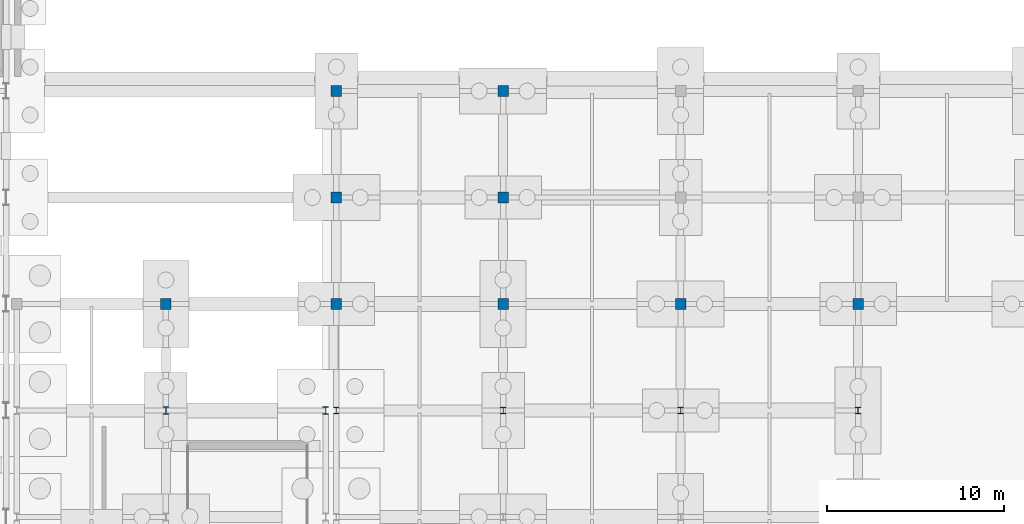
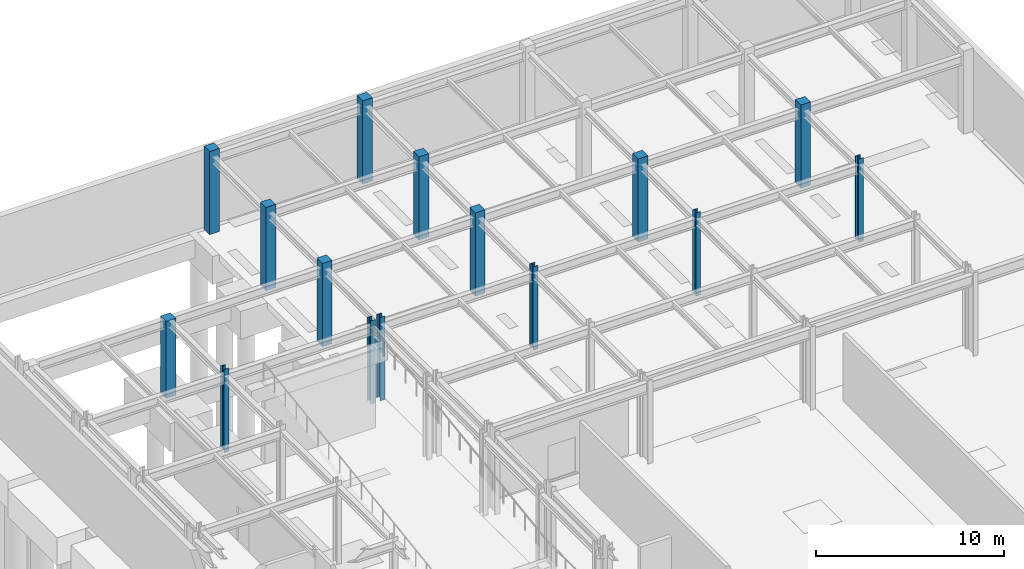
# One storey, part 32 of 65: 15 columns.
"""IFC4 building model written with IfcOpenShell, lengths in metres."""

from ifc_helpers import new_model, si_unit, direction, frame, origin, origin_2d, place, context, subcontext, project, spatial, rectangle, i_section, extrude, material, material_profile, profile_set, type_object, element, save


model = new_model("IFC4")

# Units and contexts
model_context = context("Model", 3, precision=1e-05, world=origin(), true_north=direction((0.0, 1.0)))
body_context = subcontext(model_context, "Body", "Model", "MODEL_VIEW")
ifc_project = project(units=[si_unit("LENGTHUNIT", "METRE"), si_unit("AREAUNIT", "SQUARE_METRE"), si_unit("VOLUMEUNIT", "CUBIC_METRE"), si_unit("PLANEANGLEUNIT", "RADIAN"), si_unit("MASSUNIT", "GRAM", prefix="KILO")], contexts=[model_context])

# Site, building, storey
site_placement = place(None, origin())
site = spatial("IfcSite", under=ifc_project, at=site_placement, CompositionType="ELEMENT")
building_placement = place(site_placement, origin())
building = spatial("IfcBuilding", under=site, at=building_placement, Name="Kaldris Quays Convention Centre", CompositionType="ELEMENT")
storey_placement = place(building_placement, frame((0.0, 0.0, -5.39990234375)))
storey = spatial("IfcBuildingStorey", under=building, at=storey_placement, Name="B1", CompositionType="ELEMENT", Elevation=-5.39990234375)

# Columns
ifc_material_1 = material(Name="Steel S355J2", Category="steel")
ifc_material_profile_1 = material_profile(ifc_material_1, i_section(OverallWidth=0.300048828125, OverallDepth=0.39990234375, WebThickness=0.013427734375, FlangeThickness=0.02392578125, FilletRadius=0.027099609375, at=origin_2d()), Name="HEB 400")
ifc_profile_set_1 = profile_set([ifc_material_profile_1], Name="Steel S355J2")
column_type_1 = type_object("IfcColumnType", Name="STRUCTURAL COLUMN CL09", PredefinedType="COLUMN", material=ifc_profile_set_1)
for number, where, z_axis, x_axis, name in (
    (1, (155.0, 116.0, 0.0), (0.0, 0.0, 1.0), (1.0, 0.0, 0.0), "B1 V4 Column CL09 (155.00, 116.00)"),
    (2, (164.0, 116.0, 0.0), (0.0, 0.0, 1.0), (1.0, 0.0, 0.0), "B1 V4 Column CL09 (164.00, 116.00)"),
):
    element("IfcColumn", number, at=place(storey_placement, frame(where, z_axis=z_axis, x_axis=x_axis)), inside=storey, type_object=column_type_1, Name=name, PredefinedType="COLUMN", context=body_context, shape_type="SweptSolid", body=[
        extrude(i_section(OverallWidth=0.300048828125, OverallDepth=0.39990234375, WebThickness=0.013427734375, FlangeThickness=0.02392578125, FilletRadius=0.027099609375, at=origin_2d()), origin(), (0.0, 0.0, 1.0), 5.39990234375),
    ])
ifc_material_profile_2 = material_profile(ifc_material_1, i_section(OverallWidth=0.300048828125, OverallDepth=0.360107421875, WebThickness=0.012451171875, FlangeThickness=0.0224609375, FilletRadius=0.027099609375, at=origin_2d()), Name="HEB 360")
ifc_profile_set_2 = profile_set([ifc_material_profile_2], Name="Steel S355J2")
column_type_2 = type_object("IfcColumnType", Name="STRUCTURAL COLUMN CL10", PredefinedType="COLUMN", material=ifc_profile_set_2)
for number, where, z_axis, x_axis, name in (
    (3, (164.60009765625, 116.0, 0.0), (0.0, 0.0, 1.0), (1.0, 0.0, 0.0), "B1 V4 Column CL10 (164.60, 116.00)"),
    (4, (174.0, 116.0, 0.0), (0.0, 0.0, 1.0), (1.0, 0.0, 0.0), "B1 V4 Column CL10 (174.00, 116.00)"),
    (5, (184.0, 116.0, 0.0), (0.0, 0.0, 1.0), (1.0, 0.0, 0.0), "B1 V4 Column CL10 (184.00, 116.00)"),
    (6, (194.0, 116.0, 0.0), (0.0, 0.0, 1.0), (1.0, 0.0, 0.0), "B1 V4 Column CL10 (194.00, 116.00)"),
):
    element("IfcColumn", number, at=place(storey_placement, frame(where, z_axis=z_axis, x_axis=x_axis)), inside=storey, type_object=column_type_2, Name=name, PredefinedType="COLUMN", context=body_context, shape_type="SweptSolid", body=[
        extrude(i_section(OverallWidth=0.300048828125, OverallDepth=0.360107421875, WebThickness=0.012451171875, FlangeThickness=0.0224609375, FilletRadius=0.027099609375, at=origin_2d()), origin(), (0.0, 0.0, 1.0), 5.39990234375),
    ])
ifc_material_2 = material(Name="Concrete C40/50", Category="concrete")
ifc_material_profile_3 = material_profile(ifc_material_2, rectangle(XDim=0.60009765625, YDim=0.60009765625, at=origin_2d()), Name="RC 600x600")
ifc_profile_set_3 = profile_set([ifc_material_profile_3], Name="Concrete C40/50")
column_type_3 = type_object("IfcColumnType", Name="STRUCTURAL COLUMN CL15", PredefinedType="COLUMN", material=ifc_profile_set_3)
column_placement = place(storey_placement, frame((155.0, 122.0, 0.0), z_axis=(0.0, 0.0, 1.0), x_axis=(1.0, 0.0, 0.0)))
element("IfcColumn", 7, at=column_placement, inside=storey, type_object=column_type_3, Name="B1 V4_apron Column CL15 (155.00, 122.00)", PredefinedType="COLUMN", context=body_context, shape_type="SweptSolid", body=[
    extrude(rectangle(XDim=0.60009765625, YDim=0.60009765625, at=origin_2d()), origin(), (0.0, 0.0, 1.0), 5.0048828125),
])
for number, where, z_axis, x_axis, name in (
    (8, (164.60009765625, 122.0, 0.0), (0.0, 0.0, 1.0), (1.0, 0.0, 0.0), "B1 V4 Column CL15 (164.60, 122.00)"),
    (9, (164.60009765625, 128.0, 0.0), (0.0, 0.0, 1.0), (1.0, 0.0, 0.0), "B1 V4 Column CL15 (164.60, 128.00)"),
    (10, (164.60009765625, 134.0, 0.0), (0.0, 0.0, 1.0), (1.0, 0.0, 0.0), "B1 V4 Column CL15 (164.60, 134.00)"),
    (11, (174.0, 122.0, 0.0), (0.0, 0.0, 1.0), (1.0, 0.0, 0.0), "B1 V4 Column CL15 (174.00, 122.00)"),
    (12, (174.0, 128.0, 0.0), (0.0, 0.0, 1.0), (1.0, 0.0, 0.0), "B1 V4 Column CL15 (174.00, 128.00)"),
    (13, (174.0, 134.0, 0.0), (0.0, 0.0, 1.0), (1.0, 0.0, 0.0), "B1 V4 Column CL15 (174.00, 134.00)"),
    (14, (184.0, 122.0, 0.0), (0.0, 0.0, 1.0), (1.0, 0.0, 0.0), "B1 V4 Column CL15 (184.00, 122.00)"),
    (15, (194.0, 122.0, 0.0), (0.0, 0.0, 1.0), (1.0, 0.0, 0.0), "B1 V4 Column CL15 (194.00, 122.00)"),
):
    element("IfcColumn", number, at=place(storey_placement, frame(where, z_axis=z_axis, x_axis=x_axis)), inside=storey, type_object=column_type_3, Name=name, PredefinedType="COLUMN", context=body_context, shape_type="SweptSolid", body=[
        extrude(rectangle(XDim=0.60009765625, YDim=0.60009765625, at=origin_2d()), origin(), (0.0, 0.0, 1.0), 5.39990234375),
    ])

save(model, "model.ifc")
